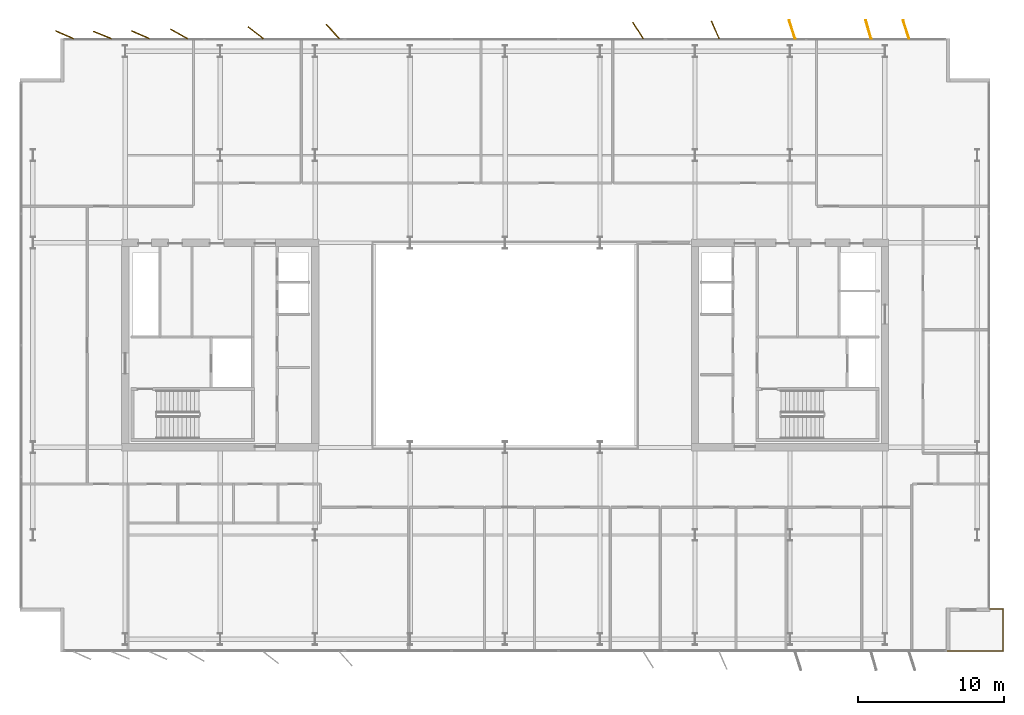
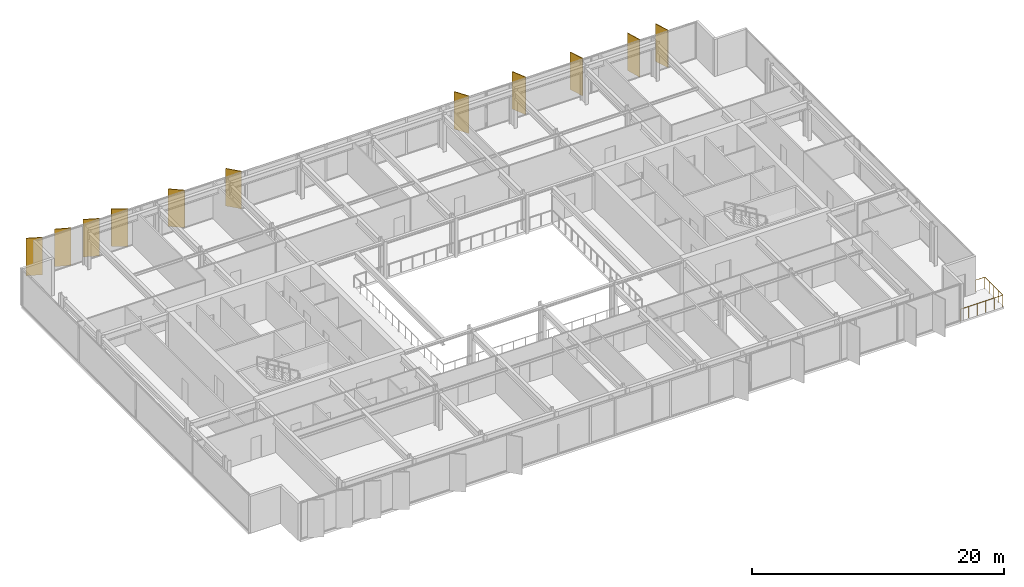
# One storey, part 24 of 24: 11 shading devices, 1 railing.
"""IFC4 building model written with IfcOpenShell, lengths in metres."""

from ifc_helpers import new_model, si_unit, direction, frame, origin, origin_2d, place, context, subcontext, project, spatial, rectangle, circle, extrude, material, layer, layer_set, type_object, element, save


model = new_model("IFC4")

# Units and contexts
model_context = context("Model", 3, precision=1e-05, world=origin(), true_north=direction((0.0, 1.0)))
body_context = subcontext(model_context, "Body", "Model", "MODEL_VIEW")
ifc_project = project(units=[si_unit("LENGTHUNIT", "METRE"), si_unit("AREAUNIT", "SQUARE_METRE"), si_unit("VOLUMEUNIT", "CUBIC_METRE"), si_unit("PLANEANGLEUNIT", "RADIAN"), si_unit("MASSUNIT", "GRAM", prefix="KILO")], contexts=[model_context])

# Site, building, storey
site_placement = place(None, origin())
site = spatial("IfcSite", under=ifc_project, at=site_placement, CompositionType="ELEMENT")
building_placement = place(site_placement, origin())
building = spatial("IfcBuilding", under=site, at=building_placement, Name="Putna Gate Headquarters", CompositionType="ELEMENT")
storey_placement = place(building_placement, frame((0.0, 0.0, 244.199951171875)))
storey = spatial("IfcBuildingStorey", under=building, at=storey_placement, Name="L61", CompositionType="ELEMENT", Elevation=244.199951171875)

# Railing
ifc_material_1 = material(Name="Anodised bronze steel and laminated glass guardrail", Category="steel")
railing_type = type_object("IfcRailingType", Name="RAIL-TERR-GUARD-1150", PredefinedType="GUARDRAIL", material=ifc_material_1)
railing_placement = place(storey_placement, frame((69.199951171875, 5.06005859375, 0.0)))
element("IfcRailing", 1, at=railing_placement, inside=storey, type_object=railing_type, Name="L61 Spiral Sky Terrace Guardrail SE", PredefinedType="GUARDRAIL", context=body_context, shape_type="SweptSolid", body=[
    extrude(circle(Radius=0.02392578125, at=origin_2d()), frame((0.0, 0.0, 1.1259765625), z_axis=(1.0, 0.0, 0.0), x_axis=(0.0, 1.0, 0.0)), (0.0, 0.0, 1.0), 3.89013671875),
    extrude(circle(Radius=0.02392578125, at=origin_2d()), frame((3.89013671875, 0.0, 1.1259765625), z_axis=(0.0, 1.0, 0.0), x_axis=(-1.0, 0.0, 0.0)), (0.0, 0.0, 1.0), 2.8798828125),
    extrude(circle(Radius=0.02392578125, at=origin_2d()), frame((3.89013671875, 2.8798828125, 1.1259765625), z_axis=(-1.0, 0.0, 0.0), x_axis=(0.0, -1.0, 0.0)), (0.0, 0.0, 1.0), 0.89013671875),
    extrude(circle(Radius=0.02099609375, at=origin_2d()), origin(), (0.0, 0.0, 1.0), 1.101806640625),
    extrude(circle(Radius=0.02099609375, at=origin_2d()), frame((0.778076171875, 0.0, 0.0)), (0.0, 0.0, 1.0), 1.101806640625),
    extrude(circle(Radius=0.02099609375, at=origin_2d()), frame((1.55615234375, 0.0, 0.0)), (0.0, 0.0, 1.0), 1.101806640625),
    extrude(circle(Radius=0.02099609375, at=origin_2d()), frame((2.333984375, 0.0, 0.0)), (0.0, 0.0, 1.0), 1.101806640625),
    extrude(circle(Radius=0.02099609375, at=origin_2d()), frame((3.112060546875, 0.0, 0.0)), (0.0, 0.0, 1.0), 1.101806640625),
    extrude(circle(Radius=0.02099609375, at=origin_2d()), frame((3.89013671875, 0.0, 0.0)), (0.0, 0.0, 1.0), 1.101806640625),
    extrude(circle(Radius=0.02099609375, at=origin_2d()), frame((3.89013671875, 0.719970703125, 0.0)), (0.0, 0.0, 1.0), 1.101806640625),
    extrude(circle(Radius=0.02099609375, at=origin_2d()), frame((3.89013671875, 1.43994140625, 0.0)), (0.0, 0.0, 1.0), 1.101806640625),
    extrude(circle(Radius=0.02099609375, at=origin_2d()), frame((3.89013671875, 2.159912109375, 0.0)), (0.0, 0.0, 1.0), 1.101806640625),
    extrude(circle(Radius=0.02099609375, at=origin_2d()), frame((3.89013671875, 2.8798828125, 0.0)), (0.0, 0.0, 1.0), 1.101806640625),
    extrude(circle(Radius=0.02099609375, at=origin_2d()), frame((3.0, 2.8798828125, 0.0)), (0.0, 0.0, 1.0), 1.101806640625),
])

# Shading devices
ifc_material_2 = material(Name="Anodised architectural bronze aluminium fin", Category="aluminium")
ifc_layer = layer(ifc_material_2, 0.06494140625)
ifc_layer_set = layer_set([ifc_layer], Name="Anodised architectural bronze aluminium fin")
shading_device_type = type_object("IfcShadingDeviceType", Name="SHADE-BRONZE-FIN-1320", PredefinedType="USERDEFINED", material=ifc_layer_set)
for number, where, z_axis, x_axis, name in (
    (2, (8.846923828125, 47.2431640625, -0.02001953125), (0.0, 0.0, 1.0), (-0.913687379856, 0.40641773078, 0.0), "L61 Bronze Vertical Shading Fin N1"),
    (3, (11.43798828125, 47.22216796875, -0.02001953125), (0.0, 0.0, 1.0), (-0.927183854567, 0.374606593416, 0.0), "L61 Bronze Vertical Shading Fin N2"),
    (4, (14.047119140625, 47.2431640625, -0.02001953125), (0.0, 0.0, 1.0), (-0.913687379856, 0.40641773078, 0.0), "L61 Bronze Vertical Shading Fin N3"),
    (5, (16.67626953125, 47.30126953125, -0.02001953125), (0.0, 0.0, 1.0), (-0.869322458298, 0.494245347472, 0.0), "L61 Bronze Vertical Shading Fin N4"),
    (6, (21.930419921875, 47.3818359375, -0.02001953125), (0.0, 0.0, 1.0), (-0.787473187632, 0.616348909921, 0.0), "L61 Bronze Vertical Shading Fin N5"),
    (7, (27.20849609375, 47.465576171875, -0.02001953125), (0.0, 0.0, 1.0), (-0.669130606359, 0.743144825477, 0.0), "L61 Bronze Vertical Shading Fin N6"),
    (8, (48.099853515625, 47.534423828125, -0.02001953125), (0.0, 0.0, 1.0), (-0.530659123936, 0.847585331506, 0.0), "L61 Bronze Vertical Shading Fin N7"),
    (9, (53.385498046875, 47.57958984375, -0.02001953125), (0.0, 0.0, 1.0), (-0.400668879095, 0.916222925562, 0.0), "L61 Bronze Vertical Shading Fin N8"),
    (10, (58.646240234375, 47.602783203125, -0.02001953125), (0.0, 0.0, 1.0), (-0.308684994204, 0.951164325631, 0.0), "L61 Bronze Vertical Shading Fin N9"),
    (11, (63.8681640625, 47.609375, -0.02001953125), (0.0, 0.0, 1.0), (-0.275637355817, 0.961261695938, 0.0), "L61 Bronze Vertical Shading Fin N10"),
    (12, (66.4462890625, 47.602783203125, -0.02001953125), (0.0, 0.0, 1.0), (-0.308684994204, 0.951164325631, 0.0), "L61 Bronze Vertical Shading Fin N11"),
):
    element("IfcShadingDevice", number, at=place(storey_placement, frame(where, z_axis=z_axis, x_axis=x_axis)), inside=storey, type_object=shading_device_type, Name=name, ObjectType="FIN", PredefinedType="USERDEFINED", context=body_context, shape_type="SweptSolid", body=[
        extrude(rectangle(XDim=1.320068359375, YDim=0.06494140625, at=origin_2d()), origin(), (0.0, 0.0, 1.0), 3.6201171875),
    ])

save(model, "model.ifc")
